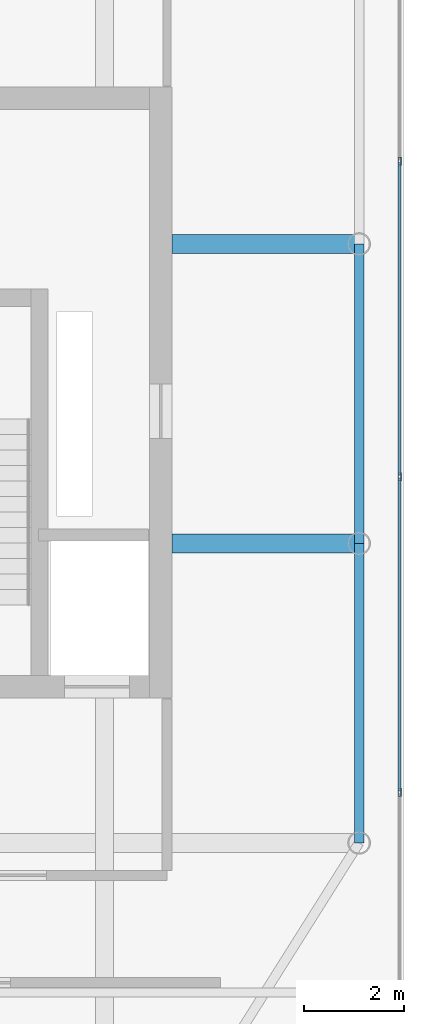
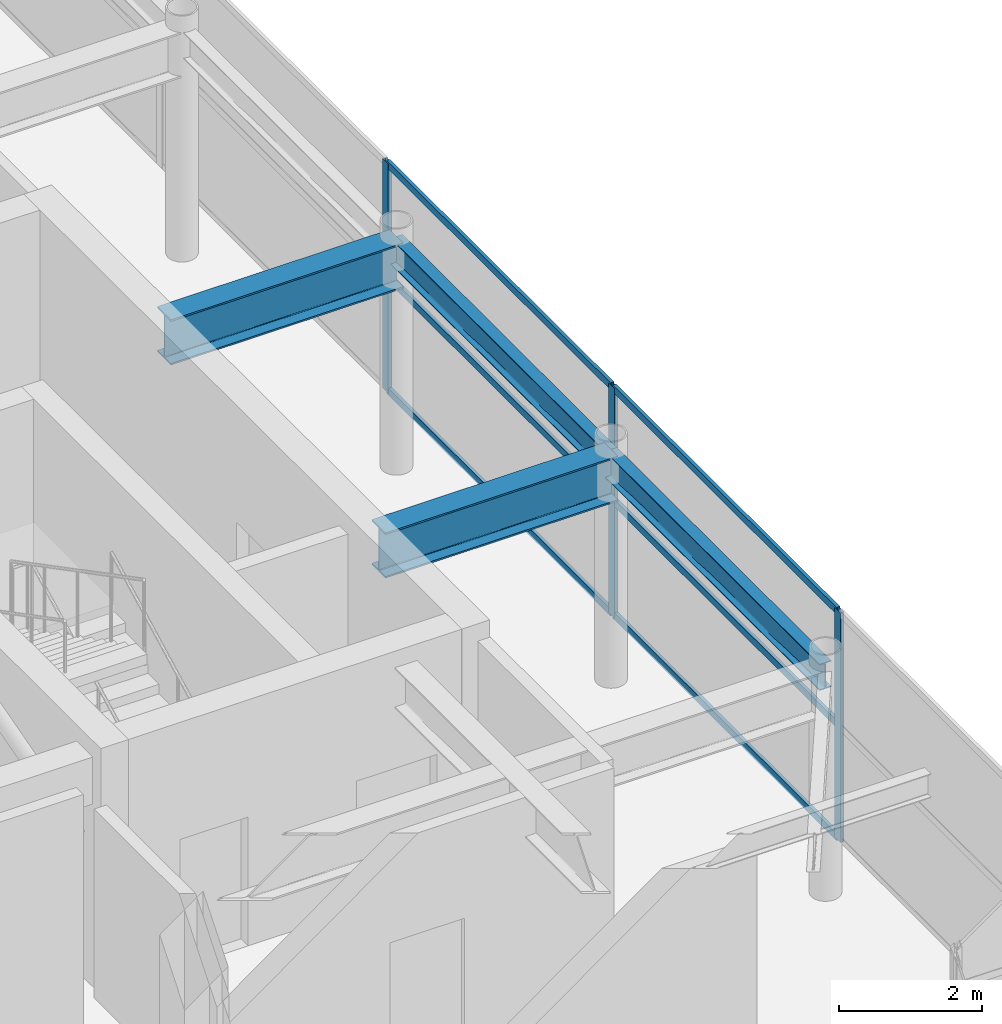
# One storey, part 17 of 33: 9 members, 4 beams, 1 element without a shape of its own.
"""IFC4 building model written with IfcOpenShell, lengths in metres."""

from ifc_helpers import new_model, si_unit, direction, frame, origin, origin_2d, place, context, subcontext, project, spatial, hollow_rectangle, i_section, extrude, source, transform, mapped, material, layer, layer_set, material_profile, profile_set, type_object, element, aggregate, save


model = new_model("IFC4")

# Units and contexts
model_context = context("Model", 3, precision=1e-05, world=origin(), true_north=direction((0.0, 1.0)))
body_context = subcontext(model_context, "Body", "Model", "MODEL_VIEW")
ifc_project = project(units=[si_unit("LENGTHUNIT", "METRE"), si_unit("AREAUNIT", "SQUARE_METRE"), si_unit("VOLUMEUNIT", "CUBIC_METRE"), si_unit("PLANEANGLEUNIT", "RADIAN"), si_unit("MASSUNIT", "GRAM", prefix="KILO")], contexts=[model_context])

# Site, building, storey
site_placement = place(None, origin())
site = spatial("IfcSite", under=ifc_project, at=site_placement, CompositionType="ELEMENT")
building_placement = place(site_placement, origin())
building = spatial("IfcBuilding", under=site, at=building_placement, Name="Khoralis Quay Care Tower", CompositionType="ELEMENT")
storey_placement = place(building_placement, frame((0.0, 0.0, 302.10009765625)))
storey = spatial("IfcBuildingStorey", under=building, at=storey_placement, Name="L79", CompositionType="ELEMENT", Elevation=302.10009765625)

# Beams
ifc_material_1 = material(Name="Steel S355", Category="steel")
ifc_material_profile_1 = material_profile(ifc_material_1, i_section(OverallWidth=0.18994140625, OverallDepth=0.449951171875, WebThickness=0.009521484375, FlangeThickness=0.0146484375, FilletRadius=0.02099609375, at=origin_2d()), Name="Steel S355")
ifc_profile_set_1 = profile_set([ifc_material_profile_1], Name="Steel S355")
beam_type_1 = type_object("IfcBeamType", Name="BM-IPE450", PredefinedType="SPANDREL", material=ifc_profile_set_1)
shared_shape_1 = source(origin(), body_context, "Body", "SweptSolid", [
    extrude(i_section(OverallWidth=0.18994140625, OverallDepth=0.449951171875, WebThickness=0.009521484375, FlangeThickness=0.0146484375, FilletRadius=0.02099609375, at=origin_2d()), origin(), (0.0, 0.0, 1.0), 6.0),
])
for number, where, z_axis, x_axis, name in (
    (1, (41.10009765625, 12.0, 3.69482421875), (0.0, 1.0, 0.0), (-1.0, 0.0, 0.0), "BM-TSP-L79-13"),
    (2, (41.10009765625, 18.0, 3.69482421875), (0.0, 1.0, 0.0), (-1.0, 0.0, 0.0), "BM-TSP-L79-14"),
):
    element("IfcBeam", number, at=place(storey_placement, frame(where, z_axis=z_axis, x_axis=x_axis)), inside=storey, type_object=beam_type_1, Name=name, PredefinedType="SPANDREL", context=body_context, shape_type="MappedRepresentation", body=[
        mapped(shared_shape_1, transform((0.0, 0.0, 0.0), scale=1.0)),
    ])
ifc_material_profile_2 = material_profile(ifc_material_1, i_section(OverallWidth=0.381103515625, OverallDepth=0.77294921875, WebThickness=0.0166015625, FlangeThickness=0.027587890625, FilletRadius=0.02197265625, at=origin_2d()), Name="Steel S355")
ifc_profile_set_2 = profile_set([ifc_material_profile_2], Name="Steel S355")
beam_type_2 = type_object("IfcBeamType", Name="BM-W760X257", PredefinedType="BEAM", material=ifc_profile_set_2)
shared_shape_2 = source(origin(), body_context, "Body", "SweptSolid", [
    extrude(i_section(OverallWidth=0.381103515625, OverallDepth=0.77294921875, WebThickness=0.0166015625, FlangeThickness=0.027587890625, FilletRadius=0.02197265625, at=origin_2d()), origin(), (0.0, 0.0, 1.0), 3.752197265625),
])
for number, where, z_axis, x_axis, name in (
    (3, (37.347900390625, 18.0, 3.533447265625), (1.0, 0.0, 0.0), (0.0, 1.0, 0.0), "BM-TGXE-L79-180"),
    (4, (37.347900390625, 24.0, 3.533447265625), (1.0, 0.0, 0.0), (0.0, 1.0, 0.0), "BM-TGXE-L79-240"),
):
    element("IfcBeam", number, at=place(storey_placement, frame(where, z_axis=z_axis, x_axis=x_axis)), inside=storey, type_object=beam_type_2, Name=name, PredefinedType="BEAM", context=body_context, shape_type="MappedRepresentation", body=[
        mapped(shared_shape_2, transform((0.0, 0.0, 0.0), scale=1.0)),
    ])

# Curtain wall, members
ifc_material_2 = material(Name="Pale anodised aluminium", Category="aluminium")
ifc_layer = layer(ifc_material_2, 0.199951171875)
ifc_layer_set = layer_set([ifc_layer], Name="Pale anodised aluminium")
curtain_wall_type = type_object("IfcCurtainWallType", Name="CW-SYS-LANTERN", PredefinedType="NOTDEFINED", material=ifc_layer_set)
curtain_wall_placement = place(storey_placement, origin())
curtain_wall = element("IfcCurtainWall", 5, at=curtain_wall_placement, inside=storey, type_object=curtain_wall_type, Name="L79 Unitised Curtain Wall CW-LN-L79-06", PredefinedType="NOTDEFINED")
ifc_material_profile_3 = material_profile(ifc_material_2, hollow_rectangle(XDim=0.054931640625, YDim=0.1201171875, WallThickness=0.00390625, at=origin_2d()), Name="Pale anodised aluminium")
ifc_profile_set_3 = profile_set([ifc_material_profile_3], Name="Pale anodised aluminium")
member_type_1 = type_object("IfcMemberType", Name="CW-TRN-120", PredefinedType="USERDEFINED", material=ifc_profile_set_3)
shared_shape_3 = source(origin(), body_context, "Body", "SweptSolid", [
    extrude(hollow_rectangle(XDim=0.054931640625, YDim=0.1201171875, WallThickness=0.00390625, at=origin_2d()), origin(), (0.0, 0.0, 1.0), 6.26416015625),
])
member_1_placement = place(storey_placement, frame((41.909912109375, 13.0439453125, 0.02978515625), z_axis=(0.0, 1.0, 0.0), x_axis=(-1.0, 0.0, 0.0)))
member_1 = element("IfcMember", 6, at=member_1_placement, type_object=member_type_1, Name="CW5 transom 2.1", ObjectType="TRANSOM", PredefinedType="USERDEFINED", context=body_context, shape_type="MappedRepresentation", body=[
    mapped(shared_shape_3, transform((0.0, 0.0, 0.0), scale=1.0)),
])
member_2_placement = place(storey_placement, frame((41.909912109375, 13.0439453125, 1.9599609375), z_axis=(0.0, 1.0, 0.0), x_axis=(-1.0, 0.0, 0.0)))
member_2 = element("IfcMember", 7, at=member_2_placement, type_object=member_type_1, Name="CW5 transom 2.2", ObjectType="TRANSOM", PredefinedType="USERDEFINED", context=body_context, shape_type="MappedRepresentation", body=[
    mapped(shared_shape_3, transform((0.0, 0.0, 0.0), scale=1.0)),
])
member_3_placement = place(storey_placement, frame((41.909912109375, 13.0439453125, 3.889892578125), z_axis=(0.0, 1.0, 0.0), x_axis=(-1.0, 0.0, 0.0)))
member_3 = element("IfcMember", 8, at=member_3_placement, type_object=member_type_1, Name="CW5 transom 2.3", ObjectType="TRANSOM", PredefinedType="USERDEFINED", context=body_context, shape_type="MappedRepresentation", body=[
    mapped(shared_shape_3, transform((0.0, 0.0, 0.0), scale=1.0)),
])
member_4_placement = place(storey_placement, frame((41.909912109375, 19.367919921875, 0.02978515625), z_axis=(0.0, 1.0, 0.0), x_axis=(-1.0, 0.0, 0.0)))
member_4 = element("IfcMember", 9, at=member_4_placement, type_object=member_type_1, Name="CW5 transom 3.1", ObjectType="TRANSOM", PredefinedType="USERDEFINED", context=body_context, shape_type="MappedRepresentation", body=[
    mapped(shared_shape_3, transform((0.0, 0.0, 0.0), scale=1.0)),
])
member_5_placement = place(storey_placement, frame((41.909912109375, 19.367919921875, 1.9599609375), z_axis=(0.0, 1.0, 0.0), x_axis=(-1.0, 0.0, 0.0)))
member_5 = element("IfcMember", 10, at=member_5_placement, type_object=member_type_1, Name="CW5 transom 3.2", ObjectType="TRANSOM", PredefinedType="USERDEFINED", context=body_context, shape_type="MappedRepresentation", body=[
    mapped(shared_shape_3, transform((0.0, 0.0, 0.0), scale=1.0)),
])
member_6_placement = place(storey_placement, frame((41.909912109375, 19.367919921875, 3.889892578125), z_axis=(0.0, 1.0, 0.0), x_axis=(-1.0, 0.0, 0.0)))
member_6 = element("IfcMember", 11, at=member_6_placement, type_object=member_type_1, Name="CW5 transom 3.3", ObjectType="TRANSOM", PredefinedType="USERDEFINED", context=body_context, shape_type="MappedRepresentation", body=[
    mapped(shared_shape_3, transform((0.0, 0.0, 0.0), scale=1.0)),
])
ifc_material_profile_4 = material_profile(ifc_material_2, hollow_rectangle(XDim=0.06005859375, YDim=0.159912109375, WallThickness=0.00390625, at=origin_2d()), Name="Pale anodised aluminium")
ifc_profile_set_4 = profile_set([ifc_material_profile_4], Name="Pale anodised aluminium")
member_type_2 = type_object("IfcMemberType", Name="CW-MUL-160", PredefinedType="MULLION", material=ifc_profile_set_4)
shared_shape_4 = source(origin(), body_context, "Body", "SweptSolid", [
    extrude(hollow_rectangle(XDim=0.06005859375, YDim=0.159912109375, WallThickness=0.00390625, at=origin_2d()), origin(), (0.0, 0.0, 1.0), 3.919921875),
])
member_7_placement = place(storey_placement, frame((41.909912109375, 13.013916015625, 0.0), z_axis=(0.0, 0.0, 1.0), x_axis=(-1.0, 0.0, 0.0)))
member_7 = element("IfcMember", 12, at=member_7_placement, type_object=member_type_2, Name="CW5 mullion 2", PredefinedType="MULLION", context=body_context, shape_type="MappedRepresentation", body=[
    mapped(shared_shape_4, transform((0.0, 0.0, 0.0), scale=1.0)),
])
member_8_placement = place(storey_placement, frame((41.909912109375, 19.337890625, 0.0), z_axis=(0.0, 0.0, 1.0), x_axis=(-1.0, 0.0, 0.0)))
member_8 = element("IfcMember", 13, at=member_8_placement, type_object=member_type_2, Name="CW5 mullion 3", PredefinedType="MULLION", context=body_context, shape_type="MappedRepresentation", body=[
    mapped(shared_shape_4, transform((0.0, 0.0, 0.0), scale=1.0)),
])
member_9_placement = place(storey_placement, frame((41.909912109375, 25.662109375, 0.0), z_axis=(0.0, 0.0, 1.0), x_axis=(-1.0, 0.0, 0.0)))
member_9 = element("IfcMember", 14, at=member_9_placement, type_object=member_type_2, Name="CW5 mullion 4", PredefinedType="MULLION", context=body_context, shape_type="MappedRepresentation", body=[
    mapped(shared_shape_4, transform((0.0, 0.0, 0.0), scale=1.0)),
])
aggregate(curtain_wall, [member_7, member_8, member_9, member_1, member_2, member_3, member_4, member_5, member_6])

save(model, "model.ifc")
